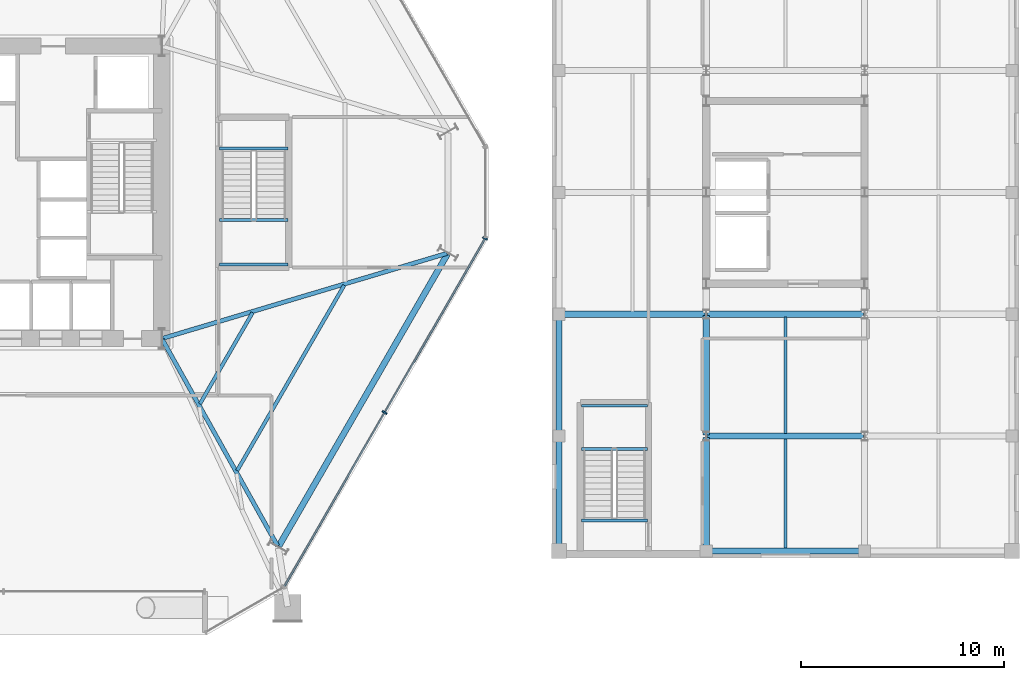
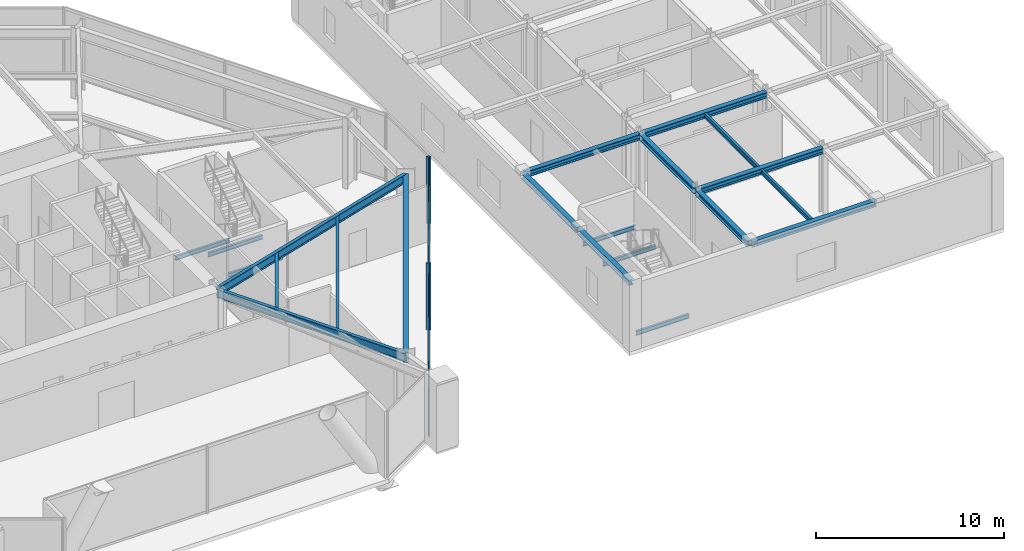
# One storey, part 9 of 23: 21 beams, 6 members, 1 element without a shape of its own.
"""IFC4 building model written with IfcOpenShell, lengths in metres."""

from ifc_helpers import new_model, si_unit, direction, frame, origin, origin_2d, place, context, subcontext, project, spatial, rectangle, i_section, extrude, material, layer, layer_set, material_profile, profile_set, type_object, element, aggregate, save


model = new_model("IFC4")

# Units and contexts
model_context = context("Model", 3, precision=1e-05, world=origin(), true_north=direction((0.0, 1.0)))
body_context = subcontext(model_context, "Body", "Model", "MODEL_VIEW")
ifc_project = project(units=[si_unit("LENGTHUNIT", "METRE"), si_unit("AREAUNIT", "SQUARE_METRE"), si_unit("VOLUMEUNIT", "CUBIC_METRE"), si_unit("PLANEANGLEUNIT", "RADIAN"), si_unit("MASSUNIT", "GRAM", prefix="KILO")], contexts=[model_context])

# Site, building, storey
site_placement = place(None, origin())
site = spatial("IfcSite", under=ifc_project, at=site_placement, CompositionType="ELEMENT")
building_placement = place(site_placement, origin())
building = spatial("IfcBuilding", under=site, at=building_placement, Name="Kranzbogen Civic Tower", CompositionType="ELEMENT")
storey_placement = place(building_placement, frame((0.0, 0.0, 9.800048828125)))
storey = spatial("IfcBuildingStorey", under=building, at=storey_placement, Name="L02", CompositionType="ELEMENT", Elevation=9.800048828125)

# Curtain wall, members
ifc_material_1 = material(Name="Pale Anodised Aluminium", Category="aluminium")
ifc_layer = layer(ifc_material_1, 0.219970703125, Name="Pale Anodised Aluminium")
ifc_layer_set = layer_set([ifc_layer], Name="Pale Anodised Aluminium")
curtain_wall_type = type_object("IfcCurtainWallType", Name="Podium Stick Curtain Wall System CW-01", PredefinedType="USERDEFINED", material=ifc_layer_set)
curtain_wall_placement = place(storey_placement, origin())
curtain_wall = element("IfcCurtainWall", 1, at=curtain_wall_placement, inside=storey, type_object=curtain_wall_type, Name="L02 curtain wall CW-L02-F6", ObjectType="STICK CURTAIN WALL", PredefinedType="USERDEFINED")
ifc_material_profile_1 = material_profile(ifc_material_1, rectangle(XDim=0.0849609375, YDim=0.260009765625, at=origin_2d()), Name="ALU-M 85x260")
ifc_profile_set_1 = profile_set([ifc_material_profile_1], Name="Pale Anodised Aluminium")
member_type_1 = type_object("IfcMemberType", Name="Curtain Wall Mullion ALU-M 85x260", PredefinedType="MULLION", material=ifc_profile_set_1)
member_1_placement = place(storey_placement, frame((43.76904296875, 14.16357421875, 0.0), z_axis=(0.0, 0.0, 1.0), x_axis=(0.500005767433, 0.86602207393, 0.0)))
member_1 = element("IfcMember", 2, at=member_1_placement, type_object=member_type_1, Name="CW-01 mullion 2", PredefinedType="MULLION", context=body_context, shape_type="SweptSolid", body=[
    extrude(rectangle(XDim=0.0849609375, YDim=0.260009765625, at=origin_2d()), origin(), (0.0, 0.0, 1.0), 4.33984375),
])
member_2_placement = place(storey_placement, frame((48.718994140625, 22.737060546875, 0.0), z_axis=(0.0, 0.0, 1.0), x_axis=(0.500005767433, 0.86602207393, 0.0)))
member_2 = element("IfcMember", 3, at=member_2_placement, type_object=member_type_1, Name="CW-01 mullion 3", PredefinedType="MULLION", context=body_context, shape_type="SweptSolid", body=[
    extrude(rectangle(XDim=0.0849609375, YDim=0.260009765625, at=origin_2d()), origin(), (0.0, 0.0, 1.0), 4.33984375),
])
ifc_material_profile_2 = material_profile(ifc_material_1, rectangle(XDim=0.0849609375, YDim=0.195068359375, at=origin_2d()), Name="ALU-T 85x195")
ifc_profile_set_2 = profile_set([ifc_material_profile_2], Name="Pale Anodised Aluminium")
member_type_2 = type_object("IfcMemberType", Name="Curtain Wall Transom ALU-T 85x195", PredefinedType="USERDEFINED", material=ifc_profile_set_2)
member_3_placement = place(storey_placement, frame((38.833984375, 5.615966796875, 0.030029296875), z_axis=(0.500003092839, 0.866023618125, 0.0), x_axis=(-0.866023618125, 0.500003092839, 0.0)))
member_3 = element("IfcMember", 4, at=member_3_placement, type_object=member_type_2, Name="CW-01 transom 1.1", ObjectType="TRANSOM", PredefinedType="USERDEFINED", context=body_context, shape_type="SweptSolid", body=[
    extrude(rectangle(XDim=0.0849609375, YDim=0.195068359375, at=origin_2d()), origin(), (0.0, 0.0, 1.0), 9.83984375),
])
member_4_placement = place(storey_placement, frame((38.833984375, 5.615966796875, 4.31005859375), z_axis=(0.500003092839, 0.866023618125, 0.0), x_axis=(-0.866023618125, 0.500003092839, 0.0)))
member_4 = element("IfcMember", 5, at=member_4_placement, type_object=member_type_2, Name="CW-01 transom 1.2", ObjectType="TRANSOM", PredefinedType="USERDEFINED", context=body_context, shape_type="SweptSolid", body=[
    extrude(rectangle(XDim=0.0849609375, YDim=0.195068359375, at=origin_2d()), origin(), (0.0, 0.0, 1.0), 9.83984375),
])
member_5_placement = place(storey_placement, frame((43.783935546875, 14.189453125, 0.030029296875), z_axis=(0.500021701106, 0.866012874282, 0.0), x_axis=(-0.866012874282, 0.500021701106, 0.0)))
member_5 = element("IfcMember", 6, at=member_5_placement, type_object=member_type_2, Name="CW-01 transom 2.1", ObjectType="TRANSOM", PredefinedType="USERDEFINED", context=body_context, shape_type="SweptSolid", body=[
    extrude(rectangle(XDim=0.0849609375, YDim=0.195068359375, at=origin_2d()), origin(), (0.0, 0.0, 1.0), 9.83984375),
])
member_6_placement = place(storey_placement, frame((43.783935546875, 14.189453125, 4.31005859375), z_axis=(0.500021701106, 0.866012874282, 0.0), x_axis=(-0.866012874282, 0.500021701106, 0.0)))
member_6 = element("IfcMember", 7, at=member_6_placement, type_object=member_type_2, Name="CW-01 transom 2.2", ObjectType="TRANSOM", PredefinedType="USERDEFINED", context=body_context, shape_type="SweptSolid", body=[
    extrude(rectangle(XDim=0.0849609375, YDim=0.195068359375, at=origin_2d()), origin(), (0.0, 0.0, 1.0), 9.83984375),
])
aggregate(curtain_wall, [member_1, member_2, member_3, member_4, member_5, member_6])

# Beams
ifc_material_2 = material(Name="Steel S355", Category="steel")
ifc_material_profile_3 = material_profile(ifc_material_2, i_section(OverallWidth=0.300048828125, OverallDepth=0.360107421875, WebThickness=0.012451171875, FlangeThickness=0.0224609375, at=origin_2d()), Name="HEB 360")
ifc_profile_set_3 = profile_set([ifc_material_profile_3], Name="Steel S355")
beam_type_1 = type_object("IfcBeamType", Name="Health Centre Primary Floor Beam HEB 360", PredefinedType="BEAM", material=ifc_profile_set_3)
for number, where, z_axis, x_axis, name in (
    (8, (59.659912109375, 7.35009765625, 4.159912109375), (1.0, 0.0, 0.0), (0.0, 1.0, 0.0), "L02 Health Centre X girder 2-1"),
    (9, (59.659912109375, 13.0, 4.159912109375), (1.0, 0.0, 0.0), (0.0, 1.0, 0.0), "L02 Health Centre X girder 2-2"),
):
    element("IfcBeam", number, at=place(storey_placement, frame(where, z_axis=z_axis, x_axis=x_axis)), inside=storey, type_object=beam_type_1, Name=name, PredefinedType="BEAM", context=body_context, shape_type="SweptSolid", body=[
        extrude(i_section(OverallWidth=0.300048828125, OverallDepth=0.360107421875, WebThickness=0.012451171875, FlangeThickness=0.0224609375, at=origin_2d()), origin(), (0.0, 0.0, 1.0), 7.68017578125),
    ])
beam_1_placement = place(storey_placement, frame((52.409912109375, 19.0, 4.159912109375), z_axis=(1.0, 0.0, 0.0), x_axis=(0.0, 1.0, 0.0)))
element("IfcBeam", 10, at=beam_1_placement, inside=storey, type_object=beam_type_1, Name="L02 Health Centre X girder 1-3", PredefinedType="BEAM", context=body_context, shape_type="SweptSolid", body=[
    extrude(i_section(OverallWidth=0.300048828125, OverallDepth=0.360107421875, WebThickness=0.012451171875, FlangeThickness=0.0224609375, at=origin_2d()), origin(), (0.0, 0.0, 1.0), 7.130126953125),
])
beam_2_placement = place(storey_placement, frame((59.659912109375, 19.0, 4.159912109375), z_axis=(1.0, 0.0, 0.0), x_axis=(0.0, 1.0, 0.0)))
element("IfcBeam", 11, at=beam_2_placement, inside=storey, type_object=beam_type_1, Name="L02 Health Centre X girder 2-3", PredefinedType="BEAM", context=body_context, shape_type="SweptSolid", body=[
    extrude(i_section(OverallWidth=0.300048828125, OverallDepth=0.360107421875, WebThickness=0.012451171875, FlangeThickness=0.0224609375, at=origin_2d()), origin(), (0.0, 0.0, 1.0), 7.68017578125),
])
for number, where, z_axis, x_axis, name in (
    (12, (52.35009765625, 7.409912109375, 4.159912109375), (0.0, 1.0, 0.0), (-1.0, 0.0, 0.0), "L02 Health Centre Y girder 1-1"),
    (13, (59.60009765625, 7.409912109375, 4.159912109375), (0.0, 1.0, 0.0), (-1.0, 0.0, 0.0), "L02 Health Centre Y girder 2-1"),
):
    element("IfcBeam", number, at=place(storey_placement, frame(where, z_axis=z_axis, x_axis=x_axis)), inside=storey, type_object=beam_type_1, Name=name, PredefinedType="BEAM", context=body_context, shape_type="SweptSolid", body=[
        extrude(i_section(OverallWidth=0.300048828125, OverallDepth=0.360107421875, WebThickness=0.012451171875, FlangeThickness=0.0224609375, at=origin_2d()), origin(), (0.0, 0.0, 1.0), 5.530029296875),
    ])
for number, where, z_axis, x_axis, name in (
    (14, (52.35009765625, 13.06005859375, 4.159912109375), (0.0, 1.0, 0.0), (-1.0, 0.0, 0.0), "L02 Health Centre Y girder 1-2"),
    (15, (59.60009765625, 13.06005859375, 4.159912109375), (0.0, 1.0, 0.0), (-1.0, 0.0, 0.0), "L02 Health Centre Y girder 2-2"),
):
    element("IfcBeam", number, at=place(storey_placement, frame(where, z_axis=z_axis, x_axis=x_axis)), inside=storey, type_object=beam_type_1, Name=name, PredefinedType="BEAM", context=body_context, shape_type="SweptSolid", body=[
        extrude(i_section(OverallWidth=0.300048828125, OverallDepth=0.360107421875, WebThickness=0.012451171875, FlangeThickness=0.0224609375, at=origin_2d()), origin(), (0.0, 0.0, 1.0), 5.8798828125),
    ])
ifc_material_profile_4 = material_profile(ifc_material_2, i_section(OverallWidth=0.14990234375, OverallDepth=0.300048828125, WebThickness=0.007080078125, FlangeThickness=0.0107421875, at=origin_2d()), Name="IPE 300")
ifc_profile_set_4 = profile_set([ifc_material_profile_4], Name="Steel S355")
beam_type_2 = type_object("IfcBeamType", Name="Health Centre Secondary Joist IPE 300", PredefinedType="JOIST", material=ifc_profile_set_4)
beam_3_placement = place(storey_placement, frame((63.5, 7.489990234375, 4.18994140625), z_axis=(0.0, 1.0, 0.0), x_axis=(-1.0, 0.0, 0.0)))
element("IfcBeam", 16, at=beam_3_placement, inside=storey, type_object=beam_type_2, Name="L02 Health Centre secondary joist 2-1", PredefinedType="JOIST", context=body_context, shape_type="SweptSolid", body=[
    extrude(i_section(OverallWidth=0.14990234375, OverallDepth=0.300048828125, WebThickness=0.007080078125, FlangeThickness=0.0107421875, at=origin_2d()), origin(), (0.0, 0.0, 1.0), 5.3701171875),
])
beam_4_placement = place(storey_placement, frame((63.5, 13.139892578125, 4.18994140625), z_axis=(0.0, 1.0, 0.0), x_axis=(-1.0, 0.0, 0.0)))
element("IfcBeam", 17, at=beam_4_placement, inside=storey, type_object=beam_type_2, Name="L02 Health Centre secondary joist 2-2", PredefinedType="JOIST", context=body_context, shape_type="SweptSolid", body=[
    extrude(i_section(OverallWidth=0.14990234375, OverallDepth=0.300048828125, WebThickness=0.007080078125, FlangeThickness=0.0107421875, at=origin_2d()), origin(), (0.0, 0.0, 1.0), 5.72021484375),
])
ifc_material_profile_5 = material_profile(ifc_material_2, i_section(OverallWidth=0.300048828125, OverallDepth=0.699951171875, WebThickness=0.01708984375, FlangeThickness=0.031982421875, at=origin_2d()), Name="HEB 700")
ifc_profile_set_5 = profile_set([ifc_material_profile_5], Name="Steel S355")
beam_type_3 = type_object("IfcBeamType", Name="Perimeter Tube Spandrel Beam HEB 700", PredefinedType="SPANDREL", material=ifc_profile_set_5)
beam_5_placement = place(storey_placement, frame((38.56103515625, 7.587890625, 3.989990234375), z_axis=(0.500010210561, 0.866019508634, 0.0), x_axis=(-0.866019508634, 0.500010210561, 0.0)))
element("IfcBeam", 18, at=beam_5_placement, inside=storey, type_object=beam_type_3, Name="L02 perimeter spandrel beam 05", PredefinedType="SPANDREL", context=body_context, shape_type="SweptSolid", body=[
    extrude(i_section(OverallWidth=0.300048828125, OverallDepth=0.699951171875, WebThickness=0.01708984375, FlangeThickness=0.031982421875, at=origin_2d()), origin(), (0.0, 0.0, 1.0), 16.597900390625),
])
ifc_material_profile_6 = material_profile(ifc_material_2, i_section(OverallWidth=0.2099609375, OverallDepth=0.550048828125, WebThickness=0.010986328125, FlangeThickness=0.01708984375, at=origin_2d()), Name="IPE 550")
ifc_profile_set_6 = profile_set([ifc_material_profile_6], Name="Steel S355")
beam_type_4 = type_object("IfcBeamType", Name="Radial Tower Floor Girder IPE 550", PredefinedType="BEAM", material=ifc_profile_set_6)
beam_6_placement = place(storey_placement, frame((38.501953125, 7.587890625, 4.06494140625), z_axis=(-0.487501570266, 0.87312211001, 0.0), x_axis=(-0.87312211001, -0.487501570266, 0.0)))
element("IfcBeam", 19, at=beam_6_placement, inside=storey, type_object=beam_type_4, Name="L02 radial floor girder 05", PredefinedType="BEAM", context=body_context, shape_type="SweptSolid", body=[
    extrude(i_section(OverallWidth=0.2099609375, OverallDepth=0.550048828125, WebThickness=0.010986328125, FlangeThickness=0.01708984375, at=origin_2d()), origin(), (0.0, 0.0, 1.0), 11.636474609375),
])
beam_7_placement = place(storey_placement, frame((46.8330078125, 21.9970703125, 4.06494140625), z_axis=(-0.958064557048, -0.286552446385, 0.0), x_axis=(0.286552446385, -0.958064557048, 0.0)))
element("IfcBeam", 20, at=beam_7_placement, inside=storey, type_object=beam_type_4, Name="L02 radial floor girder 06", PredefinedType="BEAM", context=body_context, shape_type="SweptSolid", body=[
    extrude(i_section(OverallWidth=0.2099609375, OverallDepth=0.550048828125, WebThickness=0.010986328125, FlangeThickness=0.01708984375, at=origin_2d()), origin(), (0.0, 0.0, 1.0), 14.587890625),
])
ifc_material_profile_7 = material_profile(ifc_material_2, i_section(OverallWidth=0.179931640625, OverallDepth=0.39990234375, WebThickness=0.008544921875, FlangeThickness=0.013427734375, at=origin_2d()), Name="IPE 400")
ifc_profile_set_7 = profile_set([ifc_material_profile_7], Name="Steel S355")
beam_type_5 = type_object("IfcBeamType", Name="Secondary Composite Floor Joist IPE 400", PredefinedType="JOIST", material=ifc_profile_set_7)
beam_8_placement = place(storey_placement, frame((36.508056640625, 11.300048828125, 4.139892578125), z_axis=(0.500000488781, 0.866025121586, 0.0), x_axis=(-0.866025121586, 0.500000488781, 0.0)))
element("IfcBeam", 21, at=beam_8_placement, inside=storey, type_object=beam_type_5, Name="L02 secondary floor joist 1.05", PredefinedType="JOIST", context=body_context, shape_type="SweptSolid", body=[
    extrude(i_section(OverallWidth=0.179931640625, OverallDepth=0.39990234375, WebThickness=0.008544921875, FlangeThickness=0.013427734375, at=origin_2d()), origin(), (0.0, 0.0, 1.0), 10.5400390625),
])
beam_9_placement = place(storey_placement, frame((34.674072265625, 14.5849609375, 4.139892578125), z_axis=(0.500040090343, 0.866002256377, 0.0), x_axis=(-0.866002256377, 0.500040090343, 0.0)))
element("IfcBeam", 22, at=beam_9_placement, inside=storey, type_object=beam_type_5, Name="L02 secondary floor joist 2.05", PredefinedType="JOIST", context=body_context, shape_type="SweptSolid", body=[
    extrude(i_section(OverallWidth=0.179931640625, OverallDepth=0.39990234375, WebThickness=0.008544921875, FlangeThickness=0.013427734375, at=origin_2d()), origin(), (0.0, 0.0, 1.0), 5.189453125),
])
ifc_material_profile_8 = material_profile(ifc_material_2, i_section(OverallWidth=0.135009765625, OverallDepth=0.27001953125, WebThickness=0.006591796875, FlangeThickness=0.01025390625, at=origin_2d()), Name="IPE 270")
ifc_profile_set_8 = profile_set([ifc_material_profile_8], Name="Steel S355")
beam_type_6 = type_object("IfcBeamType", Name="Stair Landing Support Beam IPE 270", PredefinedType="JOIST", material=ifc_profile_set_8)
for number, where, z_axis, x_axis, name in (
    (23, (35.64990234375, 27.159912109375, -0.39501953125), (1.0, 0.0, 0.0), (0.0, 1.0, 0.0), "L02 ST-P2 stair floor header beam"),
    (24, (35.64990234375, 23.639892578125, 1.96484375), (1.0, 0.0, 0.0), (0.0, 1.0, 0.0), "L02 ST-P2 landing support beam 1.1"),
    (25, (35.64990234375, 21.449951171875, 1.96484375), (1.0, 0.0, 0.0), (0.0, 1.0, 0.0), "L02 ST-P2 landing support beam 1.2"),
):
    element("IfcBeam", number, at=place(storey_placement, frame(where, z_axis=z_axis, x_axis=x_axis)), inside=storey, type_object=beam_type_6, Name=name, PredefinedType="JOIST", context=body_context, shape_type="SweptSolid", body=[
        extrude(i_section(OverallWidth=0.135009765625, OverallDepth=0.27001953125, WebThickness=0.006591796875, FlangeThickness=0.01025390625, at=origin_2d()), origin(), (0.0, 0.0, 1.0), 3.35009765625),
    ])
for number, where, z_axis, x_axis, name in (
    (26, (56.699951171875, 8.840087890625, -0.39501953125), (-1.0, 0.0, 0.0), (0.0, -1.0, 0.0), "L02 ST-H1 stair floor header beam"),
    (27, (56.699951171875, 12.360107421875, 1.96484375), (-1.0, 0.0, 0.0), (0.0, -1.0, 0.0), "L02 ST-H1 landing support beam 1.1"),
    (28, (56.699951171875, 14.5, 1.96484375), (-1.0, 0.0, 0.0), (0.0, -1.0, 0.0), "L02 ST-H1 landing support beam 1.2"),
):
    element("IfcBeam", number, at=place(storey_placement, frame(where, z_axis=z_axis, x_axis=x_axis)), inside=storey, type_object=beam_type_6, Name=name, PredefinedType="JOIST", context=body_context, shape_type="SweptSolid", body=[
        extrude(i_section(OverallWidth=0.135009765625, OverallDepth=0.27001953125, WebThickness=0.006591796875, FlangeThickness=0.01025390625, at=origin_2d()), origin(), (0.0, 0.0, 1.0), 3.25),
    ])

save(model, "model.ifc")
